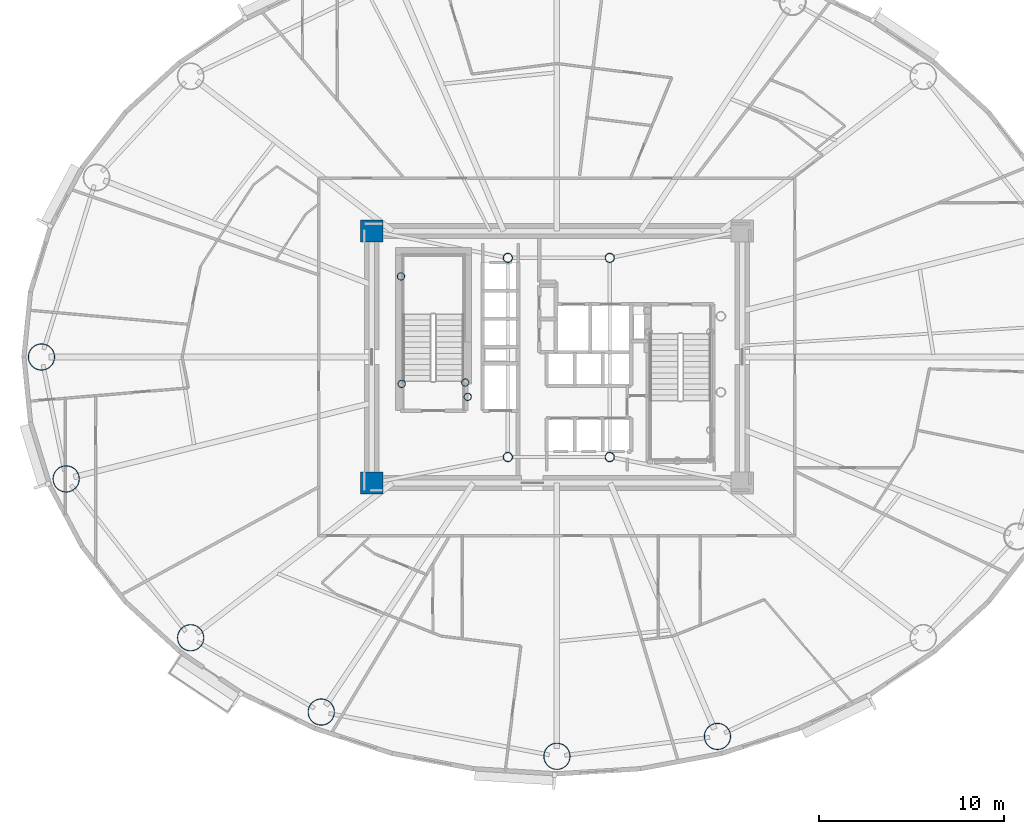
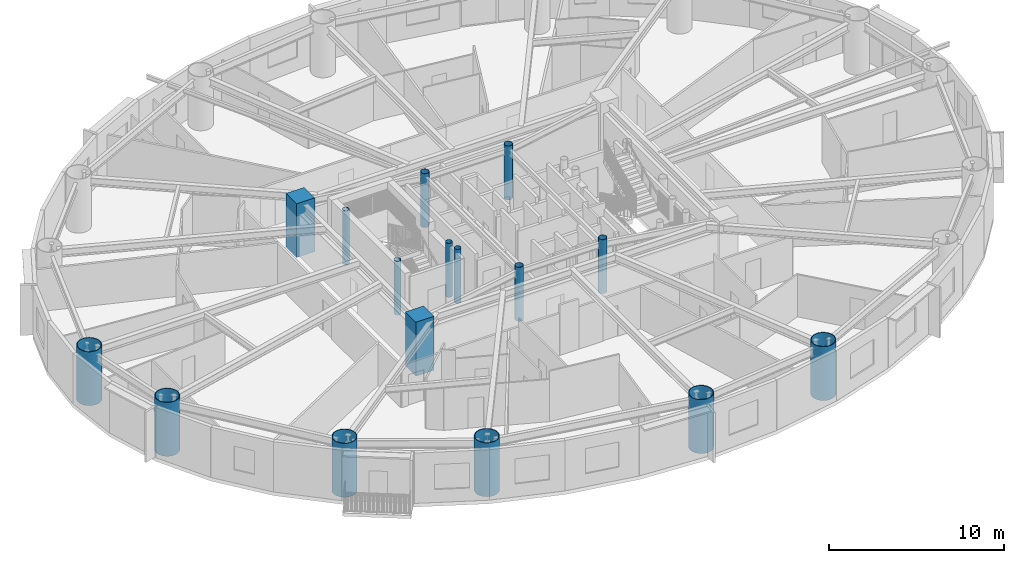
# One storey, part 1 of 18: 16 columns.
"""IFC4 building model written with IfcOpenShell, lengths in metres."""

from ifc_helpers import new_model, si_unit, direction, frame, origin, origin_2d, place, context, subcontext, project, spatial, rectangle, hollow_circle, extrude, material, material_profile, profile_set, type_object, element, save


model = new_model("IFC4")

# Units and contexts
model_context = context("Model", 3, precision=1e-05, world=origin(), true_north=direction((0.0, 1.0)))
body_context = subcontext(model_context, "Body", "Model", "MODEL_VIEW")
ifc_project = project(units=[si_unit("LENGTHUNIT", "METRE"), si_unit("AREAUNIT", "SQUARE_METRE"), si_unit("VOLUMEUNIT", "CUBIC_METRE"), si_unit("PLANEANGLEUNIT", "RADIAN"), si_unit("MASSUNIT", "GRAM", prefix="KILO")], contexts=[model_context])

# Site, building, storey
site_placement = place(None, origin())
site = spatial("IfcSite", under=ifc_project, at=site_placement, CompositionType="ELEMENT")
building_placement = place(site_placement, origin())
building = spatial("IfcBuilding", under=site, at=building_placement, Name="Linh Dai School and Residence Tower", CompositionType="ELEMENT")
storey_placement = place(building_placement, frame((0.0, 0.0, 100.949951171875)))
storey = spatial("IfcBuildingStorey", under=building, at=storey_placement, Name="L23", CompositionType="ELEMENT", Elevation=100.949951171875)

# Columns
ifc_material_1 = material(Name="Concrete B60 (C50/60)", Category="concrete")
ifc_material_profile_1 = material_profile(ifc_material_1, rectangle(XDim=1.199951171875, YDim=1.199951171875, at=origin_2d()), Name="RC 1200x1200")
ifc_profile_set_1 = profile_set([ifc_material_profile_1], Name="Concrete B60 (C50/60)")
column_type_1 = type_object("IfcColumnType", Name="COL-CC2", PredefinedType="COLUMN", material=ifc_profile_set_1)
for number, where, z_axis, x_axis, name in (
    (1, (26.0, 20.199951171875, 0.0), (0.0, 0.0, 1.0), (1.0, 0.0, 0.0), "L23 Core Corner Pier CC1"),
    (2, (26.0, 33.800048828125, 0.0), (0.0, 0.0, 1.0), (1.0, 0.0, 0.0), "L23 Core Corner Pier CC4"),
):
    element("IfcColumn", number, at=place(storey_placement, frame(where, z_axis=z_axis, x_axis=x_axis)), inside=storey, type_object=column_type_1, Name=name, PredefinedType="COLUMN", context=body_context, shape_type="SweptSolid", body=[
        extrude(rectangle(XDim=1.199951171875, YDim=1.199951171875, at=origin_2d()), origin(), (0.0, 0.0, 1.0), 3.75),
    ])
ifc_material_2 = material(Name="Structural Steel S355JR", Category="steel")
ifc_material_profile_2 = material_profile(ifc_material_2, hollow_circle(Radius=0.203125, WallThickness=0.01611328125, at=origin_2d()), Name="CHS 406.4x16")
ifc_profile_set_2 = profile_set([ifc_material_profile_2], Name="Structural Steel S355JR")
column_type_2 = type_object("IfcColumnType", Name="COL-EC", PredefinedType="COLUMN", material=ifc_profile_set_2)
for number, where, z_axis, x_axis, name in (
    (3, (27.580078125, 31.35009765625, 0.0), (0.0, 0.0, 1.0), (1.0, 0.0, 0.0), "L23 Stair Shaft Landing Support Pier ST1NW"),
    (4, (31.050048828125, 25.6201171875, 0.0), (0.0, 0.0, 1.0), (1.0, 0.0, 0.0), "L23 Stair Shaft Landing Support Pier ST1SE"),
    (5, (31.179931640625, 24.85009765625, 0.0), (0.0, 0.0, 1.0), (1.0, 0.0, 0.0), "L23 Stair Shaft Landing Support Pier ST1SM"),
    (6, (27.6201171875, 25.550048828125, 0.0), (0.0, 0.0, 1.0), (1.0, 0.0, 0.0), "L23 Stair Shaft Landing Support Pier ST1SW"),
):
    element("IfcColumn", number, at=place(storey_placement, frame(where, z_axis=z_axis, x_axis=x_axis)), inside=storey, type_object=column_type_2, Name=name, PredefinedType="COLUMN", context=body_context, shape_type="SweptSolid", body=[
        extrude(hollow_circle(Radius=0.203125, WallThickness=0.01611328125, at=origin_2d()), origin(), (0.0, 0.0, 1.0), 3.75),
    ])
ifc_material_profile_3 = material_profile(ifc_material_2, hollow_circle(Radius=0.72509765625, WallThickness=0.0419921875, at=origin_2d()), Name="CHS 1450x42")
ifc_profile_set_3 = profile_set([ifc_material_profile_3], Name="Structural Steel S355JR")
column_type_3 = type_object("IfcColumnType", Name="COL-MC3", PredefinedType="COLUMN", material=ifc_profile_set_3)
for number, where, z_axis, x_axis, name in (
    (7, (8.175048828125, 27.0, 0.0), (0.0, 0.0, 1.0), (1.0, 0.0, 0.0), "L23 Perimeter CFT Mega-Column MC09"),
    (8, (9.50732421875, 20.4189453125, 0.0), (0.0, 0.0, 1.0), (1.0, 0.0, 0.0), "L23 Perimeter CFT Mega-Column MC10"),
    (9, (16.227294921875, 11.844482421875, 0.0), (0.0, 0.0, 1.0), (1.0, 0.0, 0.0), "L23 Perimeter CFT Mega-Column MC11"),
    (10, (23.278076171875, 7.8349609375, 0.0), (0.0, 0.0, 1.0), (1.0, 0.0, 0.0), "L23 Perimeter CFT Mega-Column MC12"),
    (11, (36.0, 5.445068359375, 0.0), (0.0, 0.0, 1.0), (1.0, 0.0, 0.0), "L23 Perimeter CFT Mega-Column MC13"),
    (12, (44.66552734375, 6.519287109375, 0.0), (0.0, 0.0, 1.0), (1.0, 0.0, 0.0), "L23 Perimeter CFT Mega-Column MC14"),
):
    element("IfcColumn", number, at=place(storey_placement, frame(where, z_axis=z_axis, x_axis=x_axis)), inside=storey, type_object=column_type_3, Name=name, PredefinedType="COLUMN", context=body_context, shape_type="SweptSolid", body=[
        extrude(hollow_circle(Radius=0.72509765625, WallThickness=0.0419921875, at=origin_2d()), origin(), (0.0, 0.0, 1.0), 3.75),
    ])
ifc_material_profile_4 = material_profile(ifc_material_2, hollow_circle(Radius=0.25390625, WallThickness=0.02001953125, at=origin_2d()), Name="CHS 508x20")
ifc_profile_set_4 = profile_set([ifc_material_profile_4], Name="Structural Steel S355JR")
column_type_4 = type_object("IfcColumnType", Name="COL-MCP", PredefinedType="COLUMN", material=ifc_profile_set_4)
for number, where, z_axis, x_axis, name in (
    (13, (33.35009765625, 21.60009765625, 0.0), (0.0, 0.0, 1.0), (1.0, 0.0, 0.0), "L23 Core Mast Support Pier MCP1"),
    (14, (38.85009765625, 21.60009765625, 0.0), (0.0, 0.0, 1.0), (1.0, 0.0, 0.0), "L23 Core Mast Support Pier MCP2"),
    (15, (38.85009765625, 32.35009765625, 0.0), (0.0, 0.0, 1.0), (1.0, 0.0, 0.0), "L23 Core Mast Support Pier MCP3"),
    (16, (33.35009765625, 32.35009765625, 0.0), (0.0, 0.0, 1.0), (1.0, 0.0, 0.0), "L23 Core Mast Support Pier MCP4"),
):
    element("IfcColumn", number, at=place(storey_placement, frame(where, z_axis=z_axis, x_axis=x_axis)), inside=storey, type_object=column_type_4, Name=name, PredefinedType="COLUMN", context=body_context, shape_type="SweptSolid", body=[
        extrude(hollow_circle(Radius=0.25390625, WallThickness=0.02001953125, at=origin_2d()), origin(), (0.0, 0.0, 1.0), 3.75),
    ])

save(model, "model.ifc")
